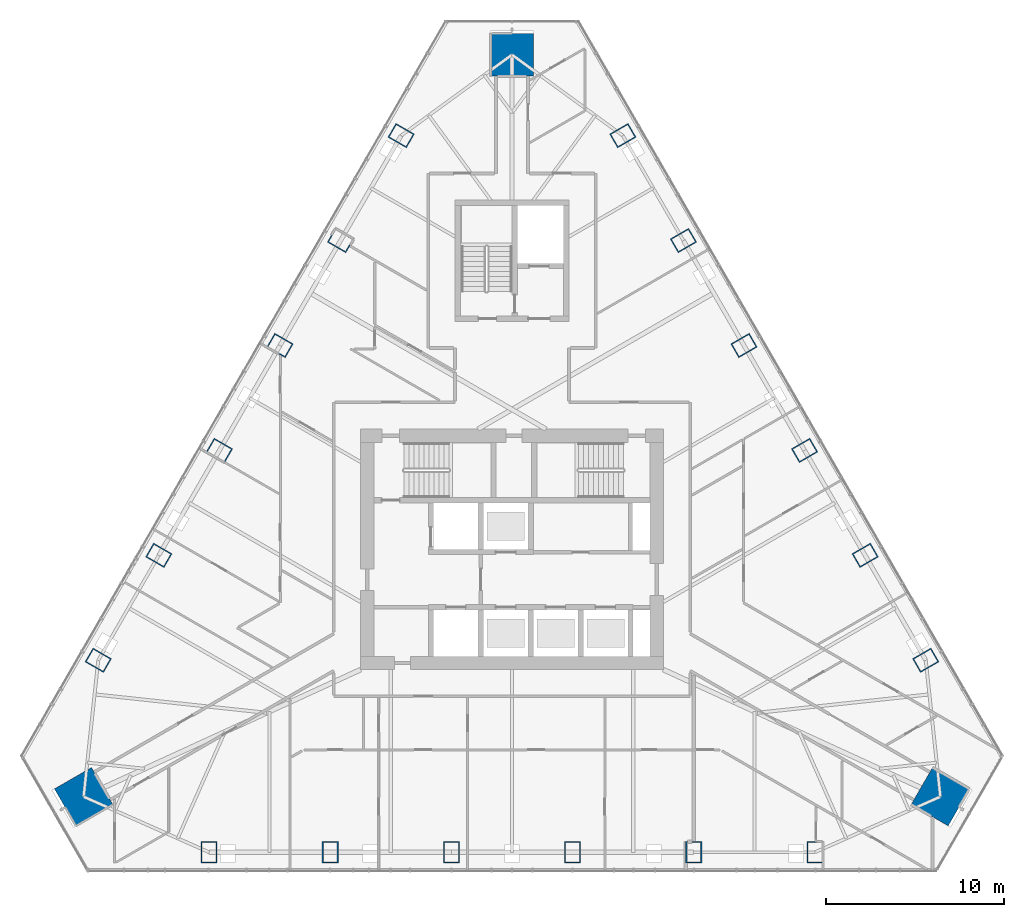
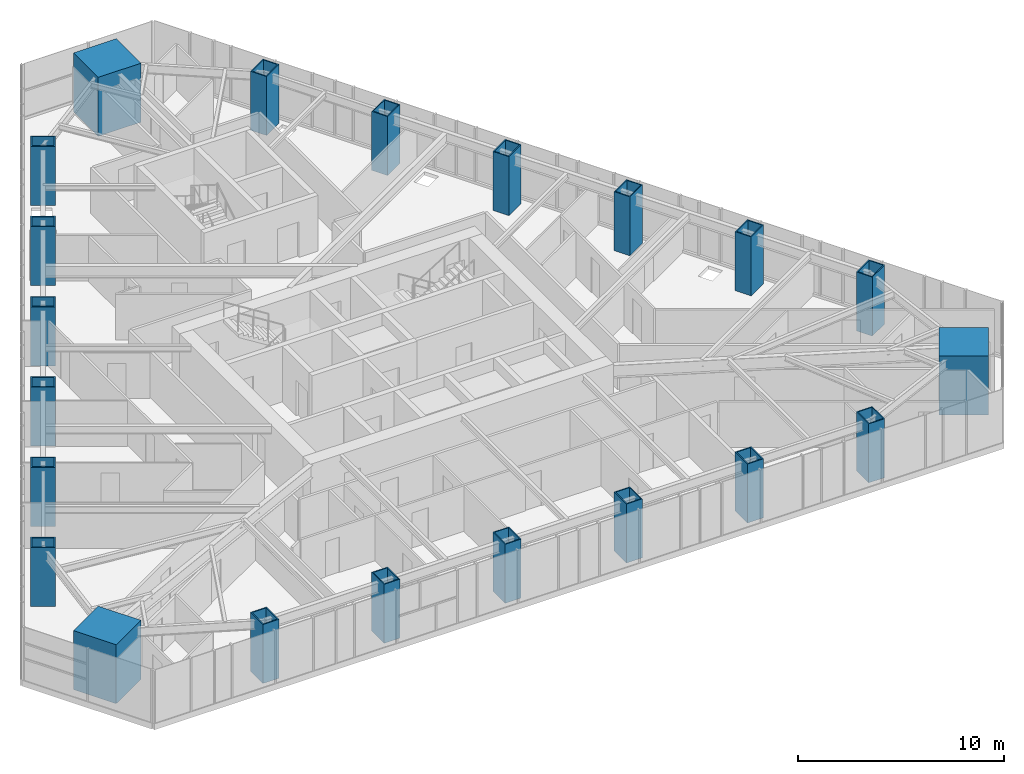
# One storey, part 1 of 19: 21 columns.
"""IFC4 building model written with IfcOpenShell, lengths in metres."""

from ifc_helpers import new_model, si_unit, direction, frame, origin, origin_2d, place, context, subcontext, project, spatial, rectangle, hollow_rectangle, extrude, material, material_profile, profile_set, type_object, element, save


model = new_model("IFC4")

# Units and contexts
model_context = context("Model", 3, precision=1e-05, world=origin(), true_north=direction((0.0, 1.0)))
body_context = subcontext(model_context, "Body", "Model", "MODEL_VIEW")
ifc_project = project(units=[si_unit("LENGTHUNIT", "METRE"), si_unit("AREAUNIT", "SQUARE_METRE"), si_unit("VOLUMEUNIT", "CUBIC_METRE"), si_unit("PLANEANGLEUNIT", "RADIAN"), si_unit("MASSUNIT", "GRAM", prefix="KILO")], contexts=[model_context])

# Site, building, storey
site_placement = place(None, origin())
site = spatial("IfcSite", under=ifc_project, at=site_placement, CompositionType="ELEMENT")
building_placement = place(site_placement, origin())
building = spatial("IfcBuilding", under=site, at=building_placement, Name="Firuza Gate Tower and Library", CompositionType="ELEMENT")
storey_placement = place(building_placement, frame((0.0, 0.0, 256.60009765625)))
storey = spatial("IfcBuildingStorey", under=building, at=storey_placement, Name="L60", CompositionType="ELEMENT", Elevation=256.60009765625)

# Columns
ifc_material_1 = material(Name="Steel S355", Category="steel")
ifc_material_profile_1 = material_profile(ifc_material_1, hollow_rectangle(XDim=0.89990234375, YDim=1.199951171875, WallThickness=0.06005859375, at=origin_2d()))
ifc_profile_set_1 = profile_set([ifc_material_profile_1], Name="Steel S355")
column_type_1 = type_object("IfcColumnType", Name="BU1200x900x60 Composite box column", PredefinedType="COLUMN", material=ifc_profile_set_1)
for number, where, z_axis, x_axis, name in (
    (1, (58.0, 58.002197265625, -0.00048828125), (0.0, 0.0, 1.0), (1.0, 0.0, 0.0), "Column S1 L60"),
    (2, (64.800048828125, 58.002197265625, -0.00048828125), (0.0, 0.0, 1.0), (1.0, 0.0, 0.0), "Column S2 L60"),
    (3, (71.60009765625, 58.002197265625, -0.00048828125), (0.0, 0.0, 1.0), (1.0, 0.0, 0.0), "Column S3 L60"),
    (4, (78.39990234375, 58.002197265625, -0.00048828125), (0.0, 0.0, 1.0), (1.0, 0.0, 0.0), "Column S4 L60"),
    (5, (85.199951171875, 58.002197265625, -0.00048828125), (0.0, 0.0, 1.0), (1.0, 0.0, 0.0), "Column S5 L60"),
    (6, (92.0, 58.002197265625, -0.00048828125), (0.0, 0.0, 1.0), (1.0, 0.0, 0.0), "Column S6 L60"),
    (7, (98.220458984375, 68.776611328125, -0.00048828125), (0.0, 0.0, 1.0), (-0.5, 0.866025403784, 0.0), "Column E1 L60"),
    (8, (94.820556640625, 74.66552734375, -0.00048828125), (0.0, 0.0, 1.0), (-0.5, 0.866025403784, 0.0), "Column E2 L60"),
    (9, (91.420654296875, 80.554443359375, -0.00048828125), (0.0, 0.0, 1.0), (-0.5, 0.866025403784, 0.0), "Column E3 L60"),
    (10, (88.0205078125, 86.443359375, -0.00048828125), (0.0, 0.0, 1.0), (-0.5, 0.866025403784, 0.0), "Column E4 L60"),
    (11, (84.62060546875, 92.332275390625, -0.00048828125), (0.0, 0.0, 1.0), (-0.5, 0.866025403784, 0.0), "Column E5 L60"),
    (12, (81.220458984375, 98.221435546875, -0.00048828125), (0.0, 0.0, 1.0), (-0.5, 0.866025403784, 0.0), "Column E6 L60"),
    (13, (68.779541015625, 98.221435546875, -0.00048828125), (0.0, 0.0, 1.0), (-0.5, -0.866025403784, 0.0), "Column W1 L60"),
    (14, (65.37939453125, 92.332275390625, -0.00048828125), (0.0, 0.0, 1.0), (-0.5, -0.866025403784, 0.0), "Column W2 L60"),
    (15, (61.9794921875, 86.443359375, -0.00048828125), (0.0, 0.0, 1.0), (-0.5, -0.866025403784, 0.0), "Column W3 L60"),
    (16, (58.579345703125, 80.554443359375, -0.00048828125), (0.0, 0.0, 1.0), (-0.5, -0.866025403784, 0.0), "Column W4 L60"),
    (17, (55.179443359375, 74.66552734375, -0.00048828125), (0.0, 0.0, 1.0), (-0.5, -0.866025403784, 0.0), "Column W5 L60"),
    (18, (51.779541015625, 68.776611328125, -0.00048828125), (0.0, 0.0, 1.0), (-0.5, -0.866025403784, 0.0), "Column W6 L60"),
):
    element("IfcColumn", number, at=place(storey_placement, frame(where, z_axis=z_axis, x_axis=x_axis)), inside=storey, type_object=column_type_1, Name=name, PredefinedType="COLUMN", context=body_context, shape_type="SweptSolid", body=[
        extrude(hollow_rectangle(XDim=0.89990234375, YDim=1.199951171875, WallThickness=0.06005859375, at=origin_2d()), origin(), (0.0, 0.0, 1.0), 3.50048828125),
    ])
ifc_material_2 = material(Name="Concrete C80/95", Category="concrete")
ifc_material_profile_2 = material_profile(ifc_material_2, rectangle(XDim=2.39990234375, YDim=2.39990234375, at=origin_2d()))
ifc_profile_set_2 = profile_set([ifc_material_profile_2], Name="Concrete C80/95")
column_type_2 = type_object("IfcColumnType", Name="Mega column 2400x2400 C80/95", PredefinedType="COLUMN", material=ifc_profile_set_2)
for number, where, z_axis, x_axis, name in (
    (19, (99.041259765625, 61.119873046875, 0.0), (0.0, 0.0, 1.0), (0.5, 0.866025403784, 0.0), "Mega column SE L60"),
    (20, (75.0, 102.76025390625, 0.0), (0.0, 0.0, 1.0), (-1.0, 0.0, 0.0), "Mega column N L60"),
    (21, (50.958740234375, 61.119873046875, 0.0), (0.0, 0.0, 1.0), (0.5, -0.866025403784, 0.0), "Mega column SW L60"),
):
    element("IfcColumn", number, at=place(storey_placement, frame(where, z_axis=z_axis, x_axis=x_axis)), inside=storey, type_object=column_type_2, Name=name, PredefinedType="COLUMN", context=body_context, shape_type="SweptSolid", body=[
        extrude(rectangle(XDim=2.39990234375, YDim=2.39990234375, at=origin_2d()), origin(), (0.0, 0.0, 1.0), 3.5),
    ])

save(model, "model.ifc")
